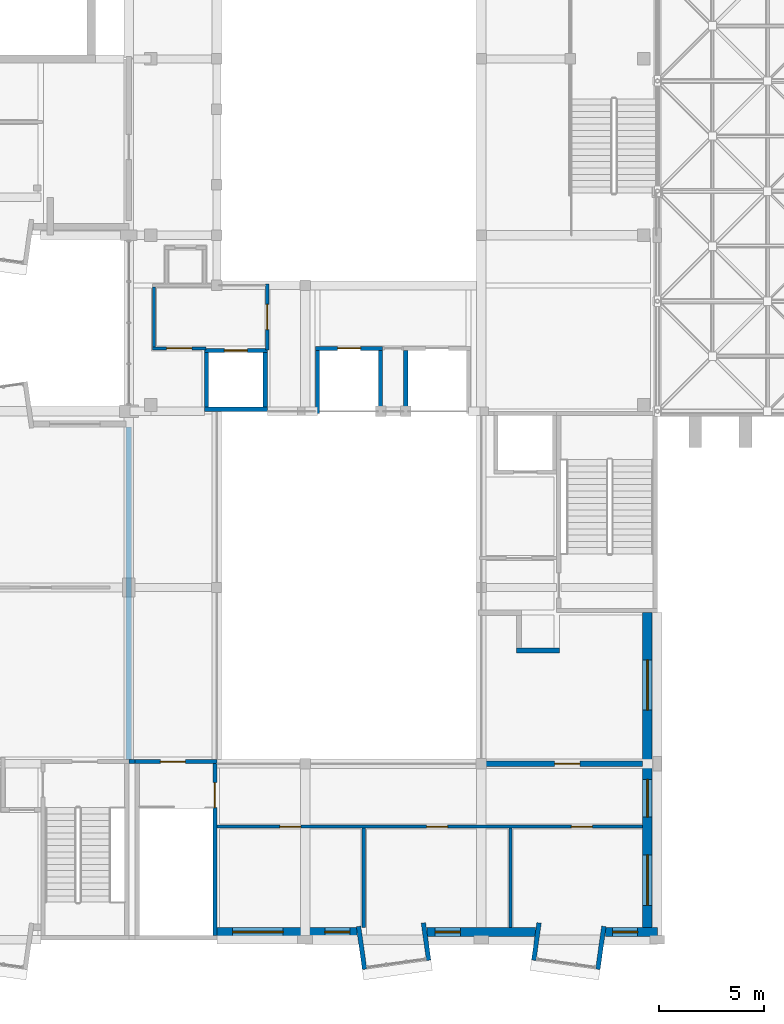
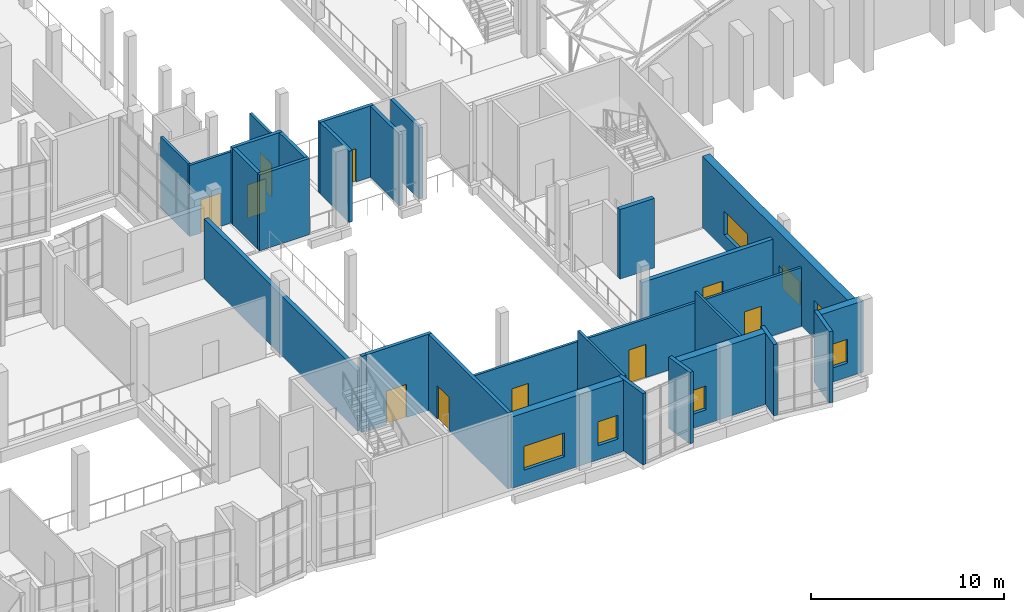
# One storey, part 66 of 100: 28 walls, 10 doors, 7 windows, 17 openings.
"""IFC4 building model written with IfcOpenShell, lengths in metres."""

from ifc_helpers import new_model, si_unit, direction, frame, frame_2d, origin, place, context, subcontext, project, spatial, rectangle, extrude, material, layer, layer_set, type_object, element, fill, save


model = new_model("IFC4")

# Units and contexts
model_context = context("Model", 3, precision=1e-05, world=origin(), true_north=direction((0.0, 1.0)))
body_context = subcontext(model_context, "Body", "Model", "MODEL_VIEW")
ifc_project = project(units=[si_unit("LENGTHUNIT", "METRE"), si_unit("AREAUNIT", "SQUARE_METRE"), si_unit("VOLUMEUNIT", "CUBIC_METRE"), si_unit("PLANEANGLEUNIT", "RADIAN"), si_unit("MASSUNIT", "GRAM", prefix="KILO")], contexts=[model_context])

# Site, building, storey
site_placement = place(None, origin())
site = spatial("IfcSite", under=ifc_project, at=site_placement, CompositionType="ELEMENT")
building_placement = place(site_placement, origin())
building = spatial("IfcBuilding", under=site, at=building_placement, Name="Kiln Court Media Centre", CompositionType="ELEMENT")
storey_placement = place(building_placement, frame((0.0, 0.0, 15.0)))
storey = spatial("IfcBuildingStorey", under=building, at=storey_placement, Name="L03", CompositionType="ELEMENT", Elevation=15.0)

# Wall
ifc_material_1 = material(Name="Concrete block masonry M10", Category="masonry")
ifc_layer_1 = layer(ifc_material_1, 0.25)
ifc_layer_set_1 = layer_set([ifc_layer_1], Name="Block fire wall 250 EI 240")
wall_type_1 = type_object("IfcWallType", Name="Block fire wall 250 EI 240", PredefinedType="SOLIDWALL", material=ifc_layer_set_1)
wall_1_placement = place(storey_placement, frame((33.60009765625, 8.60009765625, 0.0), z_axis=(0.0, 0.0, 1.0), x_axis=(0.0, 1.0, 0.0)))
element("IfcWall", 1, at=wall_1_placement, inside=storey, type_object=wall_type_1, Name="L03 block fire wall", PredefinedType="SOLIDWALL", context=body_context, shape_type="SweptSolid", body=[
    extrude(rectangle(XDim=15.849853515625, YDim=0.25, at=frame_2d((7.9248046875, 0.0))), origin(), (0.0, 0.0, 1.0), 3.800048828125),
])

# Wall, opening, door
ifc_material_2 = material(Name="Concrete block masonry M7.5", Category="masonry")
ifc_layer_2 = layer(ifc_material_2, 0.14990234375)
ifc_layer_set_2 = layer_set([ifc_layer_2], Name="Block lobby wall 150 EI 120")
wall_type_2 = type_object("IfcWallType", Name="Block lobby wall 150 EI 120", PredefinedType="SOLIDWALL", material=ifc_layer_set_2)
wall_2_placement = place(storey_placement, frame((34.72509765625, 28.199951171875, 0.0), z_axis=(0.0, 0.0, 1.0), x_axis=(1.0, 0.0, 0.0)))
wall_2 = element("IfcWall", 2, at=wall_2_placement, inside=storey, type_object=wall_type_2, Name="L03 block lobby wall", PredefinedType="SOLIDWALL", context=body_context, shape_type="SweptSolid", body=[
    extrude(rectangle(XDim=2.5498046875, YDim=0.14990234375, at=frame_2d((1.27490234375, 0.0))), origin(), (0.0, 0.0, 1.0), 4.5),
])
opening_1_placement = place(wall_2_placement, frame((0.675048828125, 0.0, 0.0)))
opening_1 = element("IfcOpeningElement", 3, at=opening_1_placement, cuts=wall_2, Name="Opening D3034", PredefinedType="OPENING", context=body_context, shape_type="SweptSolid", body=[
    extrude(rectangle(XDim=1.199951171875, YDim=2.10009765625, at=frame_2d((0.60009765625, 1.050048828125))), frame((0.0, 0.0849609375, 0.0), z_axis=(0.0, -1.0, 0.0), x_axis=(1.0, 0.0, 0.0)), (0.0, 0.0, 1.0), 0.169921875),
])
ifc_material_3 = material(Name="Steel S275", Category="steel")
door_type_1 = type_object("IfcDoorType", Name="Steel lobby door 1200 x 2100 FD120", OperationType="SINGLE_SWING_LEFT", PredefinedType="DOOR", material=ifc_material_3)
door_1_placement = place(opening_1_placement, origin())
door_1 = element("IfcDoor", 4, at=door_1_placement, inside=storey, type_object=door_type_1, Name="South Gallery West / Fire-fighting Lift Lobby", OperationType="SINGLE_SWING_RIGHT", OverallHeight=2.10009765625, OverallWidth=1.199951171875, PredefinedType="DOOR", context=body_context, shape_type="SweptSolid", body=[
    extrude(rectangle(XDim=1.199951171875, YDim=2.10009765625, at=frame_2d((0.60009765625, 1.050048828125))), frame((0.0, 0.02490234375, 0.0), z_axis=(0.0, -1.0, 0.0), x_axis=(1.0, 0.0, 0.0)), (0.0, 0.0, 1.0), 0.050048828125),
])
fill(opening_1, door_1)

# Wall
wall_3_placement = place(storey_placement, frame((34.800048828125, 28.27490234375, 0.0), z_axis=(0.0, 0.0, 1.0), x_axis=(0.0, 1.0, 0.0)))
element("IfcWall", 5, at=wall_3_placement, inside=storey, type_object=wall_type_2, Name="L03 block lobby wall", PredefinedType="SOLIDWALL", context=body_context, shape_type="SweptSolid", body=[
    extrude(rectangle(XDim=2.85009765625, YDim=0.14990234375, at=frame_2d((1.425048828125, 0.0))), origin(), (0.0, 0.0, 1.0), 4.5),
])

# Wall, opening, door
wall_4_placement = place(storey_placement, frame((40.199951171875, 28.125, 0.0), z_axis=(0.0, 0.0, 1.0), x_axis=(0.0, 1.0, 0.0)))
wall_4 = element("IfcWall", 6, at=wall_4_placement, inside=storey, type_object=wall_type_2, Name="L03 block lobby wall", PredefinedType="SOLIDWALL", context=body_context, shape_type="SweptSolid", body=[
    extrude(rectangle(XDim=3.14990234375, YDim=0.14990234375, at=frame_2d((1.574951171875, 0.0))), origin(), (0.0, 0.0, 1.0), 4.0),
])
opening_2_placement = place(wall_4_placement, frame((0.97509765625, 0.0, 0.0)))
opening_2 = element("IfcOpeningElement", 7, at=opening_2_placement, cuts=wall_4, Name="Opening D3044", PredefinedType="OPENING", context=body_context, shape_type="SweptSolid", body=[
    extrude(rectangle(XDim=1.199951171875, YDim=2.10009765625, at=frame_2d((0.60009765625, 1.050048828125))), frame((0.0, 0.0849609375, 0.0), z_axis=(0.0, -1.0, 0.0), x_axis=(1.0, 0.0, 0.0)), (0.0, 0.0, 1.0), 0.169921875),
])
door_2_placement = place(opening_2_placement, origin())
door_2 = element("IfcDoor", 8, at=door_2_placement, inside=storey, type_object=door_type_1, Name="South Gallery Link / Fire-fighting Lift Lobby", OperationType="SINGLE_SWING_RIGHT", OverallHeight=2.10009765625, OverallWidth=1.199951171875, PredefinedType="DOOR", context=body_context, shape_type="SweptSolid", body=[
    extrude(rectangle(XDim=1.199951171875, YDim=2.10009765625, at=frame_2d((0.60009765625, 1.050048828125))), frame((0.0, 0.02490234375, 0.0), z_axis=(0.0, -1.0, 0.0), x_axis=(1.0, 0.0, 0.0)), (0.0, 0.0, 1.0), 0.050048828125),
])
fill(opening_2, door_2)

# Walls
ifc_material_4 = material(Name="Brick masonry facing leaf with RC backing", Category="masonry")
ifc_layer_3 = layer(ifc_material_4, 0.215087890625)
ifc_layer_set_3 = layer_set([ifc_layer_3], Name="Brick masonry bay cheek wall 215")
wall_type_3 = type_object("IfcWallType", Name="Brick masonry bay cheek wall 215", PredefinedType="SOLIDWALL", material=ifc_layer_set_3)
wall_5_placement = place(storey_placement, frame((44.5517578125, 0.64501953125, 0.0), z_axis=(0.0, 0.0, 1.0), x_axis=(0.139173441018, -0.990268020949, 0.0)))
element("IfcWall", 9, at=wall_5_placement, inside=storey, type_object=wall_type_3, Name="BAY V6B-S-L03-07 cheek L", PredefinedType="SOLIDWALL", context=body_context, shape_type="SweptSolid", body=[
    extrude(rectangle(XDim=2.068115234375, YDim=0.215087890625, at=frame_2d((1.0341796875, 0.0))), origin(), (0.0, 0.0, 1.0), 4.5),
])
for number, where, z_axis, x_axis, name in (
    (10, (47.64404296875, 0.808837890625, 0.0), (0.0, 0.0, 1.0), (0.139161311926, -0.990269725511, 0.0), "BAY V6B-S-L03-07 cheek R"),
    (11, (53.156005859375, 0.808837890625, 0.0), (0.0, 0.0, 1.0), (-0.139161311926, -0.990269725511, 0.0), "BAY V6B-S-L03-08 cheek L"),
):
    element("IfcWall", number, at=place(storey_placement, frame(where, z_axis=z_axis, x_axis=x_axis)), inside=storey, type_object=wall_type_3, Name=name, PredefinedType="SOLIDWALL", context=body_context, shape_type="SweptSolid", body=[
        extrude(rectangle(XDim=1.800048828125, YDim=0.215087890625, at=frame_2d((0.89990234375, 0.0))), origin(), (0.0, 0.0, 1.0), 4.5),
    ])
wall_6_placement = place(storey_placement, frame((56.248291015625, 0.64501953125, 0.0), z_axis=(0.0, 0.0, 1.0), x_axis=(-0.139173441018, -0.990268020949, 0.0)))
element("IfcWall", 12, at=wall_6_placement, inside=storey, type_object=wall_type_3, Name="BAY V6B-S-L03-08 cheek R", PredefinedType="SOLIDWALL", context=body_context, shape_type="SweptSolid", body=[
    extrude(rectangle(XDim=2.068115234375, YDim=0.215087890625, at=frame_2d((1.0341796875, 0.0))), origin(), (0.0, 0.0, 1.0), 4.5),
])

# Wall, openings, windows
ifc_material_5 = material(Name="Brick masonry facing leaf with RC backing", Category="masonry")
ifc_layer_4 = layer(ifc_material_5, 0.449951171875)
ifc_layer_set_4 = layer_set([ifc_layer_4], Name="Brick masonry cavity wall 450")
wall_type_4 = type_object("IfcWallType", Name="Brick masonry cavity wall 450", PredefinedType="SOLIDWALL", material=ifc_layer_set_4)
wall_7_placement = place(storey_placement, frame((58.324951171875, 15.60009765625, 0.0), z_axis=(0.0, 0.0, 1.0), x_axis=(0.0, -1.0, 0.0)))
wall_7 = element("IfcWall", 13, at=wall_7_placement, inside=storey, type_object=wall_type_4, Name="V6B-E facade L03 3044", PredefinedType="SOLIDWALL", context=body_context, shape_type="SweptSolid", body=[
    extrude(rectangle(XDim=15.0, YDim=0.449951171875, at=frame_2d((7.5, 0.0))), origin(), (0.0, 0.0, 1.0), 4.5),
])
opening_3_placement = place(wall_7_placement, frame((11.550048828125, 0.0, 0.89990234375)))
opening_3 = element("IfcOpeningElement", 14, at=opening_3_placement, cuts=wall_7, Name="Opening WN3002", PredefinedType="OPENING", context=body_context, shape_type="SweptSolid", body=[
    extrude(rectangle(XDim=2.39990234375, YDim=1.5, at=frame_2d((1.199951171875, 0.75))), frame((0.0, 0.23486328125, 0.0), z_axis=(0.0, -1.0, 0.0), x_axis=(1.0, 0.0, 0.0)), (0.0, 0.0, 1.0), 0.469970703125),
])
opening_4_placement = place(wall_7_placement, frame((7.949951171875, 0.0, 0.89990234375)))
opening_4 = element("IfcOpeningElement", 15, at=opening_4_placement, cuts=wall_7, Name="Opening WN3003", PredefinedType="OPENING", context=body_context, shape_type="SweptSolid", body=[
    extrude(rectangle(XDim=1.800048828125, YDim=1.5, at=frame_2d((0.89990234375, 0.75))), frame((0.0, 0.23486328125, 0.0), z_axis=(0.0, -1.0, 0.0), x_axis=(1.0, 0.0, 0.0)), (0.0, 0.0, 1.0), 0.469970703125),
])
opening_5_placement = place(wall_7_placement, frame((2.25, 0.0, 0.89990234375)))
opening_5 = element("IfcOpeningElement", 16, at=opening_5_placement, cuts=wall_7, Name="Opening WN3004", PredefinedType="OPENING", context=body_context, shape_type="SweptSolid", body=[
    extrude(rectangle(XDim=2.39990234375, YDim=1.5, at=frame_2d((1.199951171875, 0.75))), frame((0.0, 0.23486328125, 0.0), z_axis=(0.0, -1.0, 0.0), x_axis=(1.0, 0.0, 0.0)), (0.0, 0.0, 1.0), 0.469970703125),
])
ifc_material_6 = material(Name="Aluminium 6063-T6", Category="aluminium")
window_type_1 = type_object("IfcWindowType", Name="Aluminium window 1800x1500", PartitioningType="DOUBLE_PANEL_VERTICAL", PredefinedType="WINDOW", material=ifc_material_6)
window_1_placement = place(opening_4_placement, origin())
window_1 = element("IfcWindow", 17, at=window_1_placement, inside=storey, type_object=window_type_1, Name="WA window WN3003", OverallHeight=1.5, OverallWidth=1.800048828125, PartitioningType="SINGLE_PANEL", PredefinedType="WINDOW", context=body_context, shape_type="SweptSolid", body=[
    extrude(rectangle(XDim=1.800048828125, YDim=1.5, at=frame_2d((0.89990234375, 0.75))), frame((0.0, 0.030029296875, 0.0), z_axis=(0.0, -1.0, 0.0), x_axis=(1.0, 0.0, 0.0)), (0.0, 0.0, 1.0), 0.06005859375),
])
fill(opening_4, window_1)
ifc_material_7 = material(Name="Aluminium 6063-T6", Category="aluminium")
window_type_2 = type_object("IfcWindowType", Name="Aluminium window 2400x1500", PartitioningType="TRIPLE_PANEL_VERTICAL", PredefinedType="WINDOW", material=ifc_material_7)
window_2_placement = place(opening_3_placement, origin())
window_2 = element("IfcWindow", 18, at=window_2_placement, inside=storey, type_object=window_type_2, Name="WC window WN3002", OverallHeight=1.5, OverallWidth=2.39990234375, PartitioningType="SINGLE_PANEL", PredefinedType="WINDOW", context=body_context, shape_type="SweptSolid", body=[
    extrude(rectangle(XDim=2.39990234375, YDim=1.5, at=frame_2d((1.199951171875, 0.75))), frame((0.0, 0.030029296875, 0.0), z_axis=(0.0, -1.0, 0.0), x_axis=(1.0, 0.0, 0.0)), (0.0, 0.0, 1.0), 0.06005859375),
])
fill(opening_3, window_2)
window_3_placement = place(opening_5_placement, origin())
window_3 = element("IfcWindow", 19, at=window_3_placement, inside=storey, type_object=window_type_2, Name="WC window WN3004", OverallHeight=1.5, OverallWidth=2.39990234375, PartitioningType="SINGLE_PANEL", PredefinedType="WINDOW", context=body_context, shape_type="SweptSolid", body=[
    extrude(rectangle(XDim=2.39990234375, YDim=1.5, at=frame_2d((1.199951171875, 0.75))), frame((0.0, 0.030029296875, 0.0), z_axis=(0.0, -1.0, 0.0), x_axis=(1.0, 0.0, 0.0)), (0.0, 0.0, 1.0), 0.06005859375),
])
fill(opening_5, window_3)

wall_8_placement = place(storey_placement, frame((44.481201171875, 0.375, 0.0), z_axis=(0.0, 0.0, 1.0), x_axis=(-1.0, 0.0, 0.0)))
wall_8 = element("IfcWall", 20, at=wall_8_placement, inside=storey, type_object=wall_type_4, Name="V6B-S facade L03 3049", PredefinedType="SOLIDWALL", context=body_context, shape_type="SweptSolid", body=[
    extrude(rectangle(XDim=6.68115234375, YDim=0.449951171875, at=frame_2d((3.340576171875, 0.0))), origin(), (0.0, 0.0, 1.0), 4.5),
])
opening_6_placement = place(wall_8_placement, frame((3.531005859375, 0.0, 0.89990234375)))
opening_6 = element("IfcOpeningElement", 21, at=opening_6_placement, cuts=wall_8, Name="Opening WN3005", PredefinedType="OPENING", context=body_context, shape_type="SweptSolid", body=[
    extrude(rectangle(XDim=2.39990234375, YDim=1.5, at=frame_2d((1.199951171875, 0.75))), frame((0.0, 0.23486328125, 0.0), z_axis=(0.0, -1.0, 0.0), x_axis=(1.0, 0.0, 0.0)), (0.0, 0.0, 1.0), 0.469970703125),
])
opening_7_placement = place(wall_8_placement, frame((0.340576171875, 0.0, 0.89990234375)))
opening_7 = element("IfcOpeningElement", 22, at=opening_7_placement, cuts=wall_8, Name="Opening WN3006", PredefinedType="OPENING", context=body_context, shape_type="SweptSolid", body=[
    extrude(rectangle(XDim=1.199951171875, YDim=1.5, at=frame_2d((0.60009765625, 0.75))), frame((0.0, 0.23486328125, 0.0), z_axis=(0.0, -1.0, 0.0), x_axis=(1.0, 0.0, 0.0)), (0.0, 0.0, 1.0), 0.469970703125),
])
ifc_material_8 = material(Name="Aluminium 6063-T6", Category="aluminium")
window_type_3 = type_object("IfcWindowType", Name="Aluminium window 1200x1500", PartitioningType="DOUBLE_PANEL_VERTICAL", PredefinedType="WINDOW", material=ifc_material_8)
window_4_placement = place(opening_7_placement, origin())
window_4 = element("IfcWindow", 23, at=window_4_placement, inside=storey, type_object=window_type_3, Name="WB window WN3006", OverallHeight=1.5, OverallWidth=1.199951171875, PartitioningType="SINGLE_PANEL", PredefinedType="WINDOW", context=body_context, shape_type="SweptSolid", body=[
    extrude(rectangle(XDim=1.199951171875, YDim=1.5, at=frame_2d((0.60009765625, 0.75))), frame((0.0, 0.030029296875, 0.0), z_axis=(0.0, -1.0, 0.0), x_axis=(1.0, 0.0, 0.0)), (0.0, 0.0, 1.0), 0.06005859375),
])
fill(opening_7, window_4)
window_5_placement = place(opening_6_placement, origin())
window_5 = element("IfcWindow", 24, at=window_5_placement, inside=storey, type_object=window_type_2, Name="WC window WN3005", OverallHeight=1.5, OverallWidth=2.39990234375, PartitioningType="SINGLE_PANEL", PredefinedType="WINDOW", context=body_context, shape_type="SweptSolid", body=[
    extrude(rectangle(XDim=2.39990234375, YDim=1.5, at=frame_2d((1.199951171875, 0.75))), frame((0.0, 0.030029296875, 0.0), z_axis=(0.0, -1.0, 0.0), x_axis=(1.0, 0.0, 0.0)), (0.0, 0.0, 1.0), 0.06005859375),
])
fill(opening_6, window_5)

# Wall, opening, window
wall_9_placement = place(storey_placement, frame((52.986572265625, 0.375, 0.0), z_axis=(0.0, 0.0, 1.0), x_axis=(-1.0, 0.0, 0.0)))
wall_9 = element("IfcWall", 25, at=wall_9_placement, inside=storey, type_object=wall_type_4, Name="V6B-S facade L03 3050", PredefinedType="SOLIDWALL", context=body_context, shape_type="SweptSolid", body=[
    extrude(rectangle(XDim=5.173095703125, YDim=0.449951171875, at=frame_2d((2.58642578125, 0.0))), origin(), (0.0, 0.0, 1.0), 4.5),
])
opening_8_placement = place(wall_9_placement, frame((3.579833984375, 0.0, 0.89990234375)))
opening_8 = element("IfcOpeningElement", 26, at=opening_8_placement, cuts=wall_9, Name="Opening WN3007", PredefinedType="OPENING", context=body_context, shape_type="SweptSolid", body=[
    extrude(rectangle(XDim=1.199951171875, YDim=1.5, at=frame_2d((0.60009765625, 0.75))), frame((0.0, 0.23486328125, 0.0), z_axis=(0.0, -1.0, 0.0), x_axis=(1.0, 0.0, 0.0)), (0.0, 0.0, 1.0), 0.469970703125),
])
window_6_placement = place(opening_8_placement, origin())
window_6 = element("IfcWindow", 27, at=window_6_placement, inside=storey, type_object=window_type_3, Name="WB window WN3007", OverallHeight=1.5, OverallWidth=1.199951171875, PartitioningType="SINGLE_PANEL", PredefinedType="WINDOW", context=body_context, shape_type="SweptSolid", body=[
    extrude(rectangle(XDim=1.199951171875, YDim=1.5, at=frame_2d((0.60009765625, 0.75))), frame((0.0, 0.030029296875, 0.0), z_axis=(0.0, -1.0, 0.0), x_axis=(1.0, 0.0, 0.0)), (0.0, 0.0, 1.0), 0.06005859375),
])
fill(opening_8, window_6)

wall_10_placement = place(storey_placement, frame((58.800048828125, 0.375, 0.0), z_axis=(0.0, 0.0, 1.0), x_axis=(-1.0, 0.0, 0.0)))
wall_10 = element("IfcWall", 28, at=wall_10_placement, inside=storey, type_object=wall_type_4, Name="V6B-S facade L03 3051", PredefinedType="SOLIDWALL", context=body_context, shape_type="SweptSolid", body=[
    extrude(rectangle(XDim=2.481201171875, YDim=0.449951171875, at=frame_2d((1.24072265625, 0.0))), origin(), (0.0, 0.0, 1.0), 4.5),
])
opening_9_placement = place(wall_10_placement, frame((0.940673828125, 0.0, 0.89990234375)))
opening_9 = element("IfcOpeningElement", 29, at=opening_9_placement, cuts=wall_10, Name="Opening WN3008", PredefinedType="OPENING", context=body_context, shape_type="SweptSolid", body=[
    extrude(rectangle(XDim=1.199951171875, YDim=1.5, at=frame_2d((0.60009765625, 0.75))), frame((0.0, 0.23486328125, 0.0), z_axis=(0.0, -1.0, 0.0), x_axis=(1.0, 0.0, 0.0)), (0.0, 0.0, 1.0), 0.469970703125),
])
window_7_placement = place(opening_9_placement, origin())
window_7 = element("IfcWindow", 30, at=window_7_placement, inside=storey, type_object=window_type_3, Name="WB window WN3008", OverallHeight=1.5, OverallWidth=1.199951171875, PartitioningType="SINGLE_PANEL", PredefinedType="WINDOW", context=body_context, shape_type="SweptSolid", body=[
    extrude(rectangle(XDim=1.199951171875, YDim=1.5, at=frame_2d((0.60009765625, 0.75))), frame((0.0, 0.030029296875, 0.0), z_axis=(0.0, -1.0, 0.0), x_axis=(1.0, 0.0, 0.0)), (0.0, 0.0, 1.0), 0.06005859375),
])
fill(opening_9, window_7)

# Wall, opening, door
ifc_material_9 = material(Name="Concrete C40/50", Category="concrete")
ifc_layer_5 = layer(ifc_material_9, 0.199951171875)
ifc_layer_set_5 = layer_set([ifc_layer_5], Name="Concrete C40/50 lift shaft wall 200 EI 240")
wall_type_5 = type_object("IfcWallType", Name="Concrete C40/50 lift shaft wall 200 EI 240", PredefinedType="SHEAR", material=ifc_layer_set_5)
wall_11_placement = place(storey_placement, frame((42.5, 28.199951171875, 0.0), z_axis=(0.0, 0.0, 1.0), x_axis=(1.0, 0.0, 0.0)))
wall_11 = element("IfcWall", 31, at=wall_11_placement, inside=storey, type_object=wall_type_5, Name="L03 concrete c40/50 lift shaft wall", PredefinedType="SHEAR", context=body_context, shape_type="SweptSolid", body=[
    extrude(rectangle(XDim=3.199951171875, YDim=0.199951171875, at=frame_2d((1.60009765625, 0.0))), origin(), (0.0, 0.0, 1.0), 4.5),
])
opening_10_placement = place(wall_11_placement, frame((1.050048828125, 0.0, 0.0)))
opening_10 = element("IfcOpeningElement", 32, at=opening_10_placement, cuts=wall_11, Name="Opening LD307", PredefinedType="OPENING", context=body_context, shape_type="SweptSolid", body=[
    extrude(rectangle(XDim=1.10009765625, YDim=2.10009765625, at=frame_2d((0.550048828125, 1.050048828125))), frame((0.0, 0.10986328125, 0.0), z_axis=(0.0, -1.0, 0.0), x_axis=(1.0, 0.0, 0.0)), (0.0, 0.0, 1.0), 0.219970703125),
])
ifc_material_10 = material(Name="Stainless steel", Category="steel")
door_type_2 = type_object("IfcDoorType", Name="Lift landing door 1100 x 2100 FD120", OperationType="SLIDING_TO_LEFT", PredefinedType="DOOR", material=ifc_material_10)
door_3_placement = place(opening_10_placement, origin())
door_3 = element("IfcDoor", 33, at=door_3_placement, inside=storey, type_object=door_type_2, Name="LF-07 landing door L03", OperationType="SLIDING_TO_LEFT", OverallHeight=2.10009765625, OverallWidth=1.10009765625, PredefinedType="DOOR", context=body_context, shape_type="SweptSolid", body=[
    extrude(rectangle(XDim=1.10009765625, YDim=2.10009765625, at=frame_2d((0.550048828125, 1.050048828125))), frame((0.0, 0.02490234375, 0.0), z_axis=(0.0, -1.0, 0.0), x_axis=(1.0, 0.0, 0.0)), (0.0, 0.0, 1.0), 0.050048828125),
])
fill(opening_10, door_3)

# Walls
for number, where, z_axis, x_axis, name in (
    (34, (42.60009765625, 25.10009765625, 0.0), (0.0, 0.0, 1.0), (0.0, 1.0, 0.0), "L03 concrete c40/50 lift shaft wall"),
    (35, (45.60009765625, 25.10009765625, 0.0), (0.0, 0.0, 1.0), (0.0, 1.0, 0.0), "L03 concrete c40/50 lift shaft wall"),
    (36, (46.800048828125, 25.10009765625, 0.0), (0.0, 0.0, 1.0), (0.0, 1.0, 0.0), "L03 concrete c40/50 lift shaft wall"),
):
    element("IfcWall", number, at=place(storey_placement, frame(where, z_axis=z_axis, x_axis=x_axis)), inside=storey, type_object=wall_type_5, Name=name, PredefinedType="SHEAR", context=body_context, shape_type="SweptSolid", body=[
        extrude(rectangle(XDim=3.0, YDim=0.199951171875, at=frame_2d((1.5, 0.0))), origin(), (0.0, 0.0, 1.0), 4.5),
    ])

# Wall, opening, door
ifc_material_11 = material(Name="Concrete C40/50", Category="concrete")
ifc_layer_6 = layer(ifc_material_11, 0.199951171875)
ifc_layer_set_6 = layer_set([ifc_layer_6], Name="Concrete C40/50 shear wall 200")
wall_type_6 = type_object("IfcWallType", Name="Concrete C40/50 shear wall 200", PredefinedType="SHEAR", material=ifc_layer_set_6)
wall_12_placement = place(storey_placement, frame((33.89990234375, 8.5, 0.0), z_axis=(0.0, 0.0, 1.0), x_axis=(1.0, 0.0, 0.0)))
wall_12 = element("IfcWall", 37, at=wall_12_placement, inside=storey, type_object=wall_type_6, Name="L03-W-1013", PredefinedType="SHEAR", context=body_context, shape_type="SweptSolid", body=[
    extrude(rectangle(XDim=3.900146484375, YDim=0.199951171875, at=frame_2d((1.9501953125, 0.0))), origin(), (0.0, 0.0, 1.0), 4.800048828125),
])
opening_11_placement = place(wall_12_placement, frame((1.2001953125, 0.0, 0.0)))
opening_11 = element("IfcOpeningElement", 38, at=opening_11_placement, cuts=wall_12, Name="Opening D3011", PredefinedType="OPENING", context=body_context, shape_type="SweptSolid", body=[
    extrude(rectangle(XDim=1.199951171875, YDim=2.10009765625, at=frame_2d((0.60009765625, 1.050048828125))), frame((0.0, 0.10986328125, 0.0), z_axis=(0.0, -1.0, 0.0), x_axis=(1.0, 0.0, 0.0)), (0.0, 0.0, 1.0), 0.219970703125),
])
ifc_material_12 = material(Name="Steel S275", Category="steel")
door_type_3 = type_object("IfcDoorType", Name="Steel stair door 1200 x 2100 FD180", OperationType="SINGLE_SWING_LEFT", PredefinedType="DOOR", material=ifc_material_12)
door_4_placement = place(opening_11_placement, origin())
door_4 = element("IfcDoor", 39, at=door_4_placement, inside=storey, type_object=door_type_3, Name="Stair 4 / Hall Corridor", OperationType="SINGLE_SWING_RIGHT", OverallHeight=2.10009765625, OverallWidth=1.199951171875, PredefinedType="DOOR", context=body_context, shape_type="SweptSolid", body=[
    extrude(rectangle(XDim=1.199951171875, YDim=2.10009765625, at=frame_2d((0.60009765625, 1.050048828125))), frame((0.0, 0.02490234375, 0.0), z_axis=(0.0, -1.0, 0.0), x_axis=(1.0, 0.0, 0.0)), (0.0, 0.0, 1.0), 0.050048828125),
])
fill(opening_11, door_4)

wall_13_placement = place(storey_placement, frame((37.699951171875, 8.39990234375, 0.0), z_axis=(0.0, 0.0, 1.0), x_axis=(0.0, -1.0, 0.0)))
wall_13 = element("IfcWall", 40, at=wall_13_placement, inside=storey, type_object=wall_type_6, Name="L03-W-1015", PredefinedType="SHEAR", context=body_context, shape_type="SweptSolid", body=[
    extrude(rectangle(XDim=8.199951171875, YDim=0.199951171875, at=frame_2d((4.10009765625, 0.0))), origin(), (0.0, 0.0, 1.0), 4.800048828125),
])
opening_12_placement = place(wall_13_placement, frame((0.89990234375, 0.0, 0.0)))
opening_12 = element("IfcOpeningElement", 41, at=opening_12_placement, cuts=wall_13, Name="Opening D3010", PredefinedType="OPENING", context=body_context, shape_type="SweptSolid", body=[
    extrude(rectangle(XDim=1.199951171875, YDim=2.10009765625, at=frame_2d((0.60009765625, 1.050048828125))), frame((0.0, 0.10986328125, 0.0), z_axis=(0.0, -1.0, 0.0), x_axis=(1.0, 0.0, 0.0)), (0.0, 0.0, 1.0), 0.219970703125),
])
door_5_placement = place(opening_12_placement, origin())
door_5 = element("IfcDoor", 42, at=door_5_placement, inside=storey, type_object=door_type_3, Name="Stair 4 / Suite Corridor", OperationType="SINGLE_SWING_RIGHT", OverallHeight=2.10009765625, OverallWidth=1.199951171875, PredefinedType="DOOR", context=body_context, shape_type="SweptSolid", body=[
    extrude(rectangle(XDim=1.199951171875, YDim=2.10009765625, at=frame_2d((0.60009765625, 1.050048828125))), frame((0.0, 0.02490234375, 0.0), z_axis=(0.0, -1.0, 0.0), x_axis=(1.0, 0.0, 0.0)), (0.0, 0.0, 1.0), 0.050048828125),
])
fill(opening_12, door_5)

# Wall
wall_14_placement = place(storey_placement, frame((40.199951171875, 25.300048828125, 0.0), z_axis=(0.0, 0.0, 1.0), x_axis=(-1.0, 0.0, 0.0)))
element("IfcWall", 43, at=wall_14_placement, inside=storey, type_object=wall_type_6, Name="L03-W-1070", PredefinedType="SHEAR", context=body_context, shape_type="SweptSolid", body=[
    extrude(rectangle(XDim=3.0, YDim=0.199951171875, at=frame_2d((1.5, 0.0))), origin(), (0.0, 0.0, 1.0), 4.800048828125),
])

# Wall, opening, door
wall_15_placement = place(storey_placement, frame((37.199951171875, 28.10009765625, 0.0), z_axis=(0.0, 0.0, 1.0), x_axis=(1.0, 0.0, 0.0)))
wall_15 = element("IfcWall", 44, at=wall_15_placement, inside=storey, type_object=wall_type_6, Name="L03-W-1071", PredefinedType="SHEAR", context=body_context, shape_type="SweptSolid", body=[
    extrude(rectangle(XDim=3.0, YDim=0.199951171875, at=frame_2d((1.5, 0.0))), origin(), (0.0, 0.0, 1.0), 4.800048828125),
])
opening_13_placement = place(wall_15_placement, frame((0.949951171875, 0.0, 0.0)))
opening_13 = element("IfcOpeningElement", 45, at=opening_13_placement, cuts=wall_15, Name="Opening LD311", PredefinedType="OPENING", context=body_context, shape_type="SweptSolid", body=[
    extrude(rectangle(XDim=1.10009765625, YDim=2.10009765625, at=frame_2d((0.550048828125, 1.050048828125))), frame((0.0, 0.10986328125, 0.0), z_axis=(0.0, -1.0, 0.0), x_axis=(1.0, 0.0, 0.0)), (0.0, 0.0, 1.0), 0.219970703125),
])
ifc_material_13 = material(Name="Stainless steel", Category="steel")
door_type_4 = type_object("IfcDoorType", Name="Firefighting lift landing door 1100 x 2100 FD120", OperationType="SLIDING_TO_LEFT", PredefinedType="DOOR", material=ifc_material_13)
door_6_placement = place(opening_13_placement, origin())
door_6 = element("IfcDoor", 46, at=door_6_placement, inside=storey, type_object=door_type_4, Name="LF-13 landing door L03", OperationType="SLIDING_TO_LEFT", OverallHeight=2.10009765625, OverallWidth=1.10009765625, PredefinedType="DOOR", context=body_context, shape_type="SweptSolid", body=[
    extrude(rectangle(XDim=1.10009765625, YDim=2.10009765625, at=frame_2d((0.550048828125, 1.050048828125))), frame((0.0, 0.02490234375, 0.0), z_axis=(0.0, -1.0, 0.0), x_axis=(1.0, 0.0, 0.0)), (0.0, 0.0, 1.0), 0.050048828125),
])
fill(opening_13, door_6)

# Walls
for number, where, z_axis, x_axis, name in (
    (47, (37.300048828125, 25.39990234375, 0.0), (0.0, 0.0, 1.0), (0.0, 1.0, 0.0), "L03-W-1072"),
    (48, (40.10009765625, 28.0, 0.0), (0.0, 0.0, 1.0), (0.0, -1.0, 0.0), "L03-W-1073"),
):
    element("IfcWall", number, at=place(storey_placement, frame(where, z_axis=z_axis, x_axis=x_axis)), inside=storey, type_object=wall_type_6, Name=name, PredefinedType="SHEAR", context=body_context, shape_type="SweptSolid", body=[
        extrude(rectangle(XDim=2.60009765625, YDim=0.199951171875, at=frame_2d((1.300048828125, 0.0))), origin(), (0.0, 0.0, 1.0), 4.800048828125),
    ])
wall_16_placement = place(storey_placement, frame((33.60009765625, 8.5, 0.0), z_axis=(0.0, 0.0, 1.0), x_axis=(1.0, 0.0, 0.0)))
element("IfcWall", 49, at=wall_16_placement, inside=storey, type_object=wall_type_6, Name="L03-W-1092", PredefinedType="SHEAR", context=body_context, shape_type="SweptSolid", body=[
    extrude(rectangle(XDim=0.2998046875, YDim=0.199951171875, at=frame_2d((0.14990234375, 0.0))), origin(), (0.0, 0.0, 1.0), 4.800048828125),
])

# Wall, opening, door
ifc_material_14 = material(Name="Gypsum plasterboard", Category="gypsum")
ifc_layer_7 = layer(ifc_material_14, 0.25)
ifc_layer_set_7 = layer_set([ifc_layer_7], Name="Double-leaf acoustic wall 250 EI 120")
wall_type_7 = type_object("IfcWallType", Name="Double-leaf acoustic wall 250 EI 120", PredefinedType="PARTITIONING", material=ifc_layer_set_7)
wall_17_placement = place(storey_placement, frame((50.27490234375, 8.39990234375, 0.0), z_axis=(0.0, 0.0, 1.0), x_axis=(1.0, 0.0, 0.0)))
wall_17 = element("IfcWall", 50, at=wall_17_placement, inside=storey, type_object=wall_type_7, Name="L03 double-leaf acoustic wall", PredefinedType="PARTITIONING", context=body_context, shape_type="SweptSolid", body=[
    extrude(rectangle(XDim=7.8251953125, YDim=0.25, at=frame_2d((3.91259765625, 0.0))), origin(), (0.0, 0.0, 1.0), 3.699951171875),
])
opening_14_placement = place(wall_17_placement, frame((3.625, 0.0, 0.0)))
opening_14 = element("IfcOpeningElement", 51, at=opening_14_placement, cuts=wall_17, Name="Opening D3032", PredefinedType="OPENING", context=body_context, shape_type="SweptSolid", body=[
    extrude(rectangle(XDim=1.199951171875, YDim=2.10009765625, at=frame_2d((0.60009765625, 1.050048828125))), frame((0.0, 0.135009765625, 0.0), z_axis=(0.0, -1.0, 0.0), x_axis=(1.0, 0.0, 0.0)), (0.0, 0.0, 1.0), 0.27001953125),
])
ifc_material_15 = material(Name="Steel S275", Category="steel")
door_type_5 = type_object("IfcDoorType", Name="Acoustic studio door 1200 x 2100 FD180", OperationType="SINGLE_SWING_LEFT", PredefinedType="DOOR", material=ifc_material_15)
door_7_placement = place(opening_14_placement, origin())
door_7 = element("IfcDoor", 52, at=door_7_placement, inside=storey, type_object=door_type_5, Name="Suite Corridor / Projection and Equipment Room", OperationType="SINGLE_SWING_RIGHT", OverallHeight=2.10009765625, OverallWidth=1.199951171875, PredefinedType="DOOR", context=body_context, shape_type="SweptSolid", body=[
    extrude(rectangle(XDim=1.199951171875, YDim=2.10009765625, at=frame_2d((0.60009765625, 1.050048828125))), frame((0.0, 0.02490234375, 0.0), z_axis=(0.0, -1.0, 0.0), x_axis=(1.0, 0.0, 0.0)), (0.0, 0.0, 1.0), 0.050048828125),
])
fill(opening_14, door_7)

# Wall
wall_18_placement = place(storey_placement, frame((52.074951171875, 13.800048828125, 0.0), z_axis=(0.0, 0.0, 1.0), x_axis=(1.0, 0.0, 0.0)))
element("IfcWall", 53, at=wall_18_placement, inside=storey, type_object=wall_type_7, Name="L03 double-leaf acoustic wall", PredefinedType="PARTITIONING", context=body_context, shape_type="SweptSolid", body=[
    extrude(rectangle(XDim=2.050048828125, YDim=0.25, at=frame_2d((1.02490234375, 0.0))), origin(), (0.0, 0.0, 1.0), 4.39990234375),
])

# Wall, openings, doors
ifc_material_16 = material(Name="Gypsum plasterboard", Category="gypsum")
ifc_layer_8 = layer(ifc_material_16, 0.14990234375)
ifc_layer_set_8 = layer_set([ifc_layer_8], Name="Gypsum corridor partition 150 EI 60")
wall_type_8 = type_object("IfcWallType", Name="Gypsum corridor partition 150 EI 60", PredefinedType="PARTITIONING", material=ifc_layer_set_8)
wall_19_placement = place(storey_placement, frame((37.800048828125, 5.39990234375, 0.0), z_axis=(0.0, 0.0, 1.0), x_axis=(1.0, 0.0, 0.0)))
wall_19 = element("IfcWall", 54, at=wall_19_placement, inside=storey, type_object=wall_type_8, Name="L03 gypsum corridor partition", PredefinedType="PARTITIONING", context=body_context, shape_type="SweptSolid", body=[
    extrude(rectangle(XDim=20.300048828125, YDim=0.14990234375, at=frame_2d((10.14990234375, 0.0))), origin(), (0.0, 0.0, 1.0), 3.699951171875),
])
opening_15_placement = place(wall_19_placement, frame((3.0, 0.0, 0.0)))
opening_15 = element("IfcOpeningElement", 55, at=opening_15_placement, cuts=wall_19, Name="Opening D3029", PredefinedType="OPENING", context=body_context, shape_type="SweptSolid", body=[
    extrude(rectangle(XDim=1.0, YDim=2.10009765625, at=frame_2d((0.5, 1.050048828125))), frame((0.0, 0.0849609375, 0.0), z_axis=(0.0, -1.0, 0.0), x_axis=(1.0, 0.0, 0.0)), (0.0, 0.0, 1.0), 0.169921875),
])
opening_16_placement = place(wall_19_placement, frame((10.0, 0.0, 0.0)))
opening_16 = element("IfcOpeningElement", 56, at=opening_16_placement, cuts=wall_19, Name="Opening D3030", PredefinedType="OPENING", context=body_context, shape_type="SweptSolid", body=[
    extrude(rectangle(XDim=1.0, YDim=2.10009765625, at=frame_2d((0.5, 1.050048828125))), frame((0.0, 0.0849609375, 0.0), z_axis=(0.0, -1.0, 0.0), x_axis=(1.0, 0.0, 0.0)), (0.0, 0.0, 1.0), 0.169921875),
])
opening_17_placement = place(wall_19_placement, frame((16.89990234375, 0.0, 0.0)))
opening_17 = element("IfcOpeningElement", 57, at=opening_17_placement, cuts=wall_19, Name="Opening D3031", PredefinedType="OPENING", context=body_context, shape_type="SweptSolid", body=[
    extrude(rectangle(XDim=1.0, YDim=2.10009765625, at=frame_2d((0.5, 1.050048828125))), frame((0.0, 0.0849609375, 0.0), z_axis=(0.0, -1.0, 0.0), x_axis=(1.0, 0.0, 0.0)), (0.0, 0.0, 1.0), 0.169921875),
])
ifc_material_17 = material(Name="Steel S275", Category="steel")
door_type_6 = type_object("IfcDoorType", Name="Steel corridor door 1000 x 2100 FD30S", OperationType="SINGLE_SWING_LEFT", PredefinedType="DOOR", material=ifc_material_17)
door_8_placement = place(opening_15_placement, origin())
door_8 = element("IfcDoor", 58, at=door_8_placement, inside=storey, type_object=door_type_6, Name="Editing Suite 24 / Suite Corridor", OperationType="SINGLE_SWING_RIGHT", OverallHeight=2.10009765625, OverallWidth=1.0, PredefinedType="DOOR", context=body_context, shape_type="SweptSolid", body=[
    extrude(rectangle(XDim=1.0, YDim=2.10009765625, at=frame_2d((0.5, 1.050048828125))), frame((0.0, 0.02490234375, 0.0), z_axis=(0.0, -1.0, 0.0), x_axis=(1.0, 0.0, 0.0)), (0.0, 0.0, 1.0), 0.050048828125),
])
fill(opening_15, door_8)
door_9_placement = place(opening_16_placement, origin())
door_9 = element("IfcDoor", 59, at=door_9_placement, inside=storey, type_object=door_type_6, Name="Editing Suite 25 / Suite Corridor", OperationType="SINGLE_SWING_RIGHT", OverallHeight=2.10009765625, OverallWidth=1.0, PredefinedType="DOOR", context=body_context, shape_type="SweptSolid", body=[
    extrude(rectangle(XDim=1.0, YDim=2.10009765625, at=frame_2d((0.5, 1.050048828125))), frame((0.0, 0.02490234375, 0.0), z_axis=(0.0, -1.0, 0.0), x_axis=(1.0, 0.0, 0.0)), (0.0, 0.0, 1.0), 0.050048828125),
])
fill(opening_16, door_9)
door_10_placement = place(opening_17_placement, origin())
door_10 = element("IfcDoor", 60, at=door_10_placement, inside=storey, type_object=door_type_6, Name="Editing Suite 26 / Suite Corridor", OperationType="SINGLE_SWING_RIGHT", OverallHeight=2.10009765625, OverallWidth=1.0, PredefinedType="DOOR", context=body_context, shape_type="SweptSolid", body=[
    extrude(rectangle(XDim=1.0, YDim=2.10009765625, at=frame_2d((0.5, 1.050048828125))), frame((0.0, 0.02490234375, 0.0), z_axis=(0.0, -1.0, 0.0), x_axis=(1.0, 0.0, 0.0)), (0.0, 0.0, 1.0), 0.050048828125),
])
fill(opening_17, door_10)

# Walls
for number, where, z_axis, x_axis, name in (
    (61, (44.800048828125, 0.60009765625, 0.0), (0.0, 0.0, 1.0), (0.0, 1.0, 0.0), "L03 gypsum corridor partition"),
    (62, (51.800048828125, 0.60009765625, 0.0), (0.0, 0.0, 1.0), (0.0, 1.0, 0.0), "L03 gypsum corridor partition"),
):
    element("IfcWall", number, at=place(storey_placement, frame(where, z_axis=z_axis, x_axis=x_axis)), inside=storey, type_object=wall_type_8, Name=name, PredefinedType="PARTITIONING", context=body_context, shape_type="SweptSolid", body=[
        extrude(rectangle(XDim=4.724853515625, YDim=0.14990234375, at=frame_2d((2.3623046875, 0.0))), origin(), (0.0, 0.0, 1.0), 4.39990234375),
    ])

save(model, "model.ifc")
